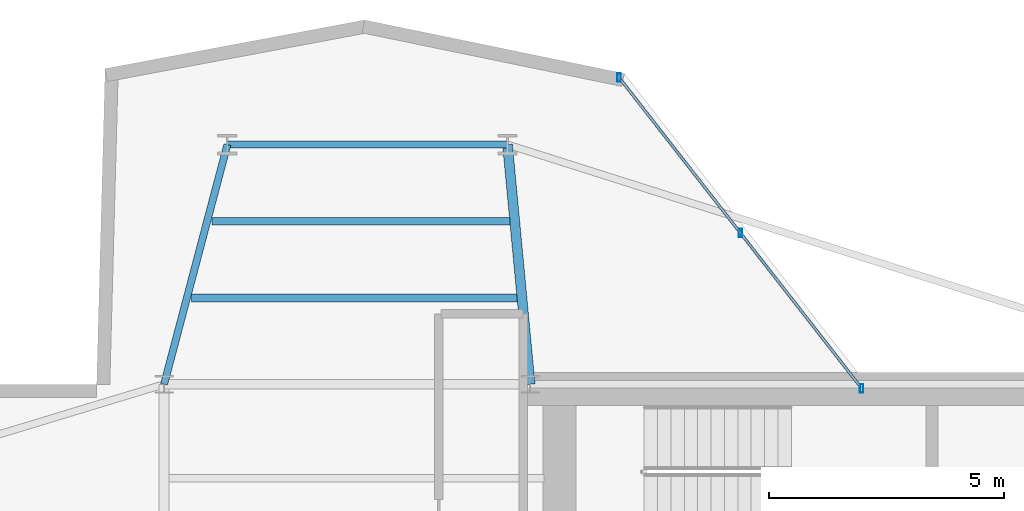
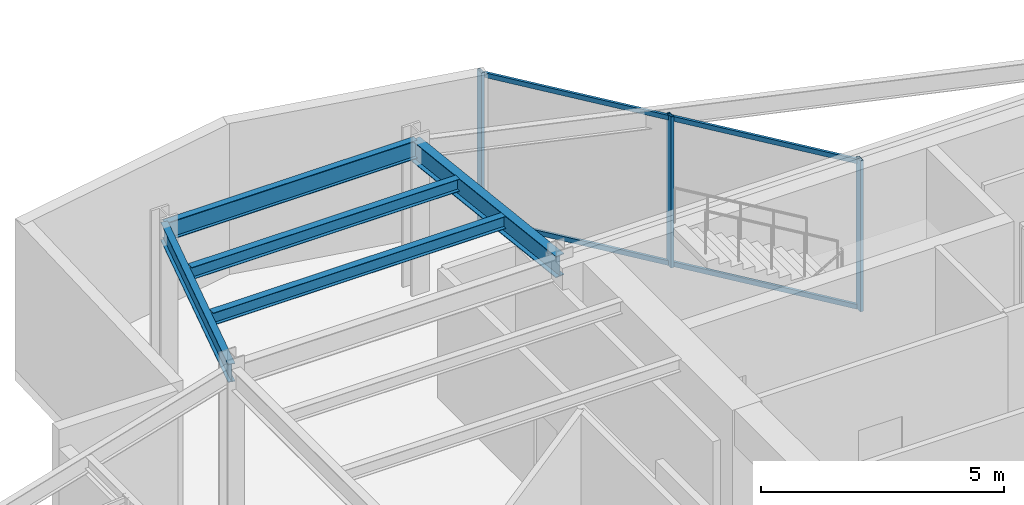
# One storey, part 11 of 21: 5 beams, 5 members, 1 element without a shape of its own.
"""IFC4 building model written with IfcOpenShell, lengths in metres."""

from ifc_helpers import new_model, si_unit, direction, frame, origin, origin_2d, place, context, subcontext, project, spatial, hollow_rectangle, i_section, extrude, material, layer, layer_set, material_profile, profile_set, type_object, element, aggregate, save


model = new_model("IFC4")

# Units and contexts
model_context = context("Model", 3, precision=1e-05, world=origin(), true_north=direction((0.0, 1.0)))
body_context = subcontext(model_context, "Body", "Model", "MODEL_VIEW")
ifc_project = project(units=[si_unit("LENGTHUNIT", "METRE"), si_unit("AREAUNIT", "SQUARE_METRE"), si_unit("VOLUMEUNIT", "CUBIC_METRE"), si_unit("PLANEANGLEUNIT", "RADIAN"), si_unit("MASSUNIT", "GRAM", prefix="KILO")], contexts=[model_context])

# Site, building, storey
site_placement = place(None, origin())
site = spatial("IfcSite", under=ifc_project, at=site_placement, CompositionType="ELEMENT")
building_placement = place(site_placement, origin())
building = spatial("IfcBuilding", under=site, at=building_placement, Name="Veymaron Broadcast Tower", CompositionType="ELEMENT")
storey_placement = place(building_placement, frame((0.0, 0.0, 244.5)))
storey = spatial("IfcBuildingStorey", under=building, at=storey_placement, Name="L57", CompositionType="ELEMENT", Elevation=244.5)

# Beams
ifc_material_1 = material(Name="Structural steel ASTM A992 Gr 50", Category="steel")
ifc_material_profile_1 = material_profile(ifc_material_1, i_section(OverallWidth=0.2099609375, OverallDepth=0.537109375, WebThickness=0.010986328125, FlangeThickness=0.017333984375, at=origin_2d()), Name="W530X101")
ifc_profile_set_1 = profile_set([ifc_material_profile_1], Name="Structural steel ASTM A992 Gr 50")
beam_type_1 = type_object("IfcBeamType", Name="BM-FG3", PredefinedType="BEAM", material=ifc_profile_set_1)
beam_1_placement = place(storey_placement, frame((39.0, 32.0, 3.521484375), z_axis=(-0.093933273565, 0.995578495206, 0.0), x_axis=(-0.995578495206, -0.093933273565, 0.0)))
element("IfcBeam", 1, at=beam_1_placement, inside=storey, type_object=beam_type_1, Name="L57 primary structural floor girder", PredefinedType="BEAM", context=body_context, shape_type="SweptSolid", body=[
    extrude(i_section(OverallWidth=0.2099609375, OverallDepth=0.537109375, WebThickness=0.010986328125, FlangeThickness=0.017333984375, at=origin_2d()), origin(), (0.0, 0.0, 1.0), 5.130615234375),
])
ifc_material_profile_2 = material_profile(ifc_material_1, i_section(OverallWidth=0.1650390625, OverallDepth=0.31005859375, WebThickness=0.005859375, FlangeThickness=0.009765625, at=origin_2d()), Name="W310X39")
ifc_profile_set_2 = profile_set([ifc_material_profile_2], Name="Structural steel ASTM A992 Gr 50")
beam_type_2 = type_object("IfcBeamType", Name="BM-JS3", PredefinedType="JOIST", material=ifc_profile_set_2)
beam_2_placement = place(storey_placement, frame((31.785888671875, 33.8388671875, 3.635009765625), z_axis=(1.0, 0.0, 0.0), x_axis=(0.0, 1.0, 0.0)))
element("IfcBeam", 2, at=beam_2_placement, inside=storey, type_object=beam_type_2, Name="L57 Arm-B secondary joist 1", PredefinedType="JOIST", context=body_context, shape_type="SweptSolid", body=[
    extrude(i_section(OverallWidth=0.1650390625, OverallDepth=0.31005859375, WebThickness=0.005859375, FlangeThickness=0.009765625, at=origin_2d()), origin(), (0.0, 0.0, 1.0), 6.940673828125),
])
beam_3_placement = place(storey_placement, frame((32.2177734375, 35.473388671875, 3.635009765625), z_axis=(1.0, 0.0, 0.0), x_axis=(0.0, 1.0, 0.0)))
element("IfcBeam", 3, at=beam_3_placement, inside=storey, type_object=beam_type_2, Name="L57 Arm-B secondary joist 2", PredefinedType="JOIST", context=body_context, shape_type="SweptSolid", body=[
    extrude(i_section(OverallWidth=0.1650390625, OverallDepth=0.31005859375, WebThickness=0.005859375, FlangeThickness=0.009765625, at=origin_2d()), origin(), (0.0, 0.0, 1.0), 6.3544921875),
])
ifc_material_profile_3 = material_profile(ifc_material_1, i_section(OverallWidth=0.154052734375, OverallDepth=0.458984375, WebThickness=0.009033203125, FlangeThickness=0.015380859375, at=origin_2d()), Name="W460X68")
ifc_profile_set_3 = profile_set([ifc_material_profile_3], Name="Structural steel ASTM A992 Gr 50")
beam_type_3 = type_object("IfcBeamType", Name="BM-SP2", PredefinedType="SPANDREL", material=ifc_profile_set_3)
beam_4_placement = place(storey_placement, frame((31.199951171875, 32.0, 3.560546875), z_axis=(0.255453064719, 0.96682145804, 0.0), x_axis=(-0.96682145804, 0.255453064719, 0.0)))
element("IfcBeam", 4, at=beam_4_placement, inside=storey, type_object=beam_type_3, Name="L57 primary structural floor girder", PredefinedType="SPANDREL", context=body_context, shape_type="SweptSolid", body=[
    extrude(i_section(OverallWidth=0.154052734375, OverallDepth=0.458984375, WebThickness=0.009033203125, FlangeThickness=0.015380859375, at=origin_2d()), origin(), (0.0, 0.0, 1.0), 5.283203125),
])
beam_5_placement = place(storey_placement, frame((32.549560546875, 37.10791015625, 3.560546875), z_axis=(1.0, 0.0, 0.0), x_axis=(0.0, 1.0, 0.0)))
element("IfcBeam", 5, at=beam_5_placement, inside=storey, type_object=beam_type_3, Name="L57 primary structural floor girder", PredefinedType="SPANDREL", context=body_context, shape_type="SweptSolid", body=[
    extrude(i_section(OverallWidth=0.154052734375, OverallDepth=0.458984375, WebThickness=0.009033203125, FlangeThickness=0.015380859375, at=origin_2d()), origin(), (0.0, 0.0, 1.0), 5.968505859375),
])

# Curtain wall, members
ifc_material_2 = material(Name="Anodised aluminium AA 6063-T6 and laminated low-E dark glass", Category="aluminium")
ifc_layer = layer(ifc_material_2, 0.179931640625)
ifc_layer_set = layer_set([ifc_layer], Name="Anodised aluminium AA 6063-T6 and laminated low-E dark glass")
curtain_wall_type = type_object("IfcCurtainWallType", Name="CW-SYS-05", PredefinedType="NOTDEFINED", material=ifc_layer_set)
curtain_wall_placement = place(storey_placement, origin())
curtain_wall = element("IfcCurtainWall", 6, at=curtain_wall_placement, inside=storey, type_object=curtain_wall_type, Name="L57 dark-glass curtain wall CW-L57-E5-1", PredefinedType="NOTDEFINED")
ifc_material_3 = material(Name="Anodised aluminium AA 6063-T6", Category="aluminium")
ifc_material_profile_4 = material_profile(ifc_material_3, hollow_rectangle(XDim=0.074951171875, YDim=0.179931640625, WallThickness=0.0048828125, at=origin_2d()), Name="AL180X75X5")
ifc_profile_set_4 = profile_set([ifc_material_profile_4], Name="Anodised aluminium AA 6063-T6")
member_type_1 = type_object("IfcMemberType", Name="CW-MUL-02", PredefinedType="MULLION", material=ifc_profile_set_4)
member_1_placement = place(storey_placement, frame((46.065185546875, 31.913818359375, 0.0), z_axis=(0.0, 0.0, 1.0), x_axis=(1.0, 0.0, 0.0)))
member_1 = element("IfcMember", 7, at=member_1_placement, type_object=member_type_1, Name="CW-L57-E5-1 mullion 0", PredefinedType="MULLION", context=body_context, shape_type="SweptSolid", body=[
    extrude(hollow_rectangle(XDim=0.074951171875, YDim=0.179931640625, WallThickness=0.0048828125, at=origin_2d()), origin(), (0.0, 0.0, 1.0), 3.7900390625),
])
member_2_placement = place(storey_placement, frame((43.48046875, 35.2255859375, 0.0), z_axis=(0.0, 0.0, 1.0), x_axis=(1.0, 0.0, 0.0)))
member_2 = element("IfcMember", 8, at=member_2_placement, type_object=member_type_1, Name="CW-L57-E5-1 mullion 1", PredefinedType="MULLION", context=body_context, shape_type="SweptSolid", body=[
    extrude(hollow_rectangle(XDim=0.074951171875, YDim=0.179931640625, WallThickness=0.0048828125, at=origin_2d()), origin(), (0.0, 0.0, 1.0), 3.7900390625),
])
member_3_placement = place(storey_placement, frame((40.8955078125, 38.537109375, 0.0), z_axis=(0.0, 0.0, 1.0), x_axis=(1.0, 0.0, 0.0)))
member_3 = element("IfcMember", 9, at=member_3_placement, type_object=member_type_1, Name="CW-L57-E5-1 mullion 2", PredefinedType="MULLION", context=body_context, shape_type="SweptSolid", body=[
    extrude(hollow_rectangle(XDim=0.074951171875, YDim=0.179931640625, WallThickness=0.0048828125, at=origin_2d()), origin(), (0.0, 0.0, 1.0), 3.7900390625),
])
ifc_material_profile_5 = material_profile(ifc_material_3, hollow_rectangle(XDim=0.06005859375, YDim=0.1201171875, WallThickness=0.00390625, at=origin_2d()), Name="AL120X60X4")
ifc_profile_set_5 = profile_set([ifc_material_profile_5], Name="Anodised aluminium AA 6063-T6")
member_type_2 = type_object("IfcMemberType", Name="CW-TRN-02", PredefinedType="USERDEFINED", material=ifc_profile_set_5)
member_4_placement = place(storey_placement, frame((46.034423828125, 31.953369140625, 0.070068359375), z_axis=(-0.615275312806, 0.788312304516, 0.0), x_axis=(-0.788312304516, -0.615275312806, 0.0)))
member_4 = element("IfcMember", 10, at=member_4_placement, type_object=member_type_2, Name="CW-L57-E5-1 transom B", ObjectType="TRANSOM", PredefinedType="USERDEFINED", context=body_context, shape_type="SweptSolid", body=[
    extrude(hollow_rectangle(XDim=0.06005859375, YDim=0.1201171875, WallThickness=0.00390625, at=origin_2d()), origin(), (0.0, 0.0, 1.0), 8.3017578125),
])
member_5_placement = place(storey_placement, frame((46.034423828125, 31.953369140625, 3.719970703125), z_axis=(-0.615275312806, 0.788312304516, 0.0), x_axis=(-0.788312304516, -0.615275312806, 0.0)))
member_5 = element("IfcMember", 11, at=member_5_placement, type_object=member_type_2, Name="CW-L57-E5-1 transom T", ObjectType="TRANSOM", PredefinedType="USERDEFINED", context=body_context, shape_type="SweptSolid", body=[
    extrude(hollow_rectangle(XDim=0.06005859375, YDim=0.1201171875, WallThickness=0.00390625, at=origin_2d()), origin(), (0.0, 0.0, 1.0), 8.3017578125),
])
aggregate(curtain_wall, [member_1, member_2, member_3, member_4, member_5])

save(model, "model.ifc")
